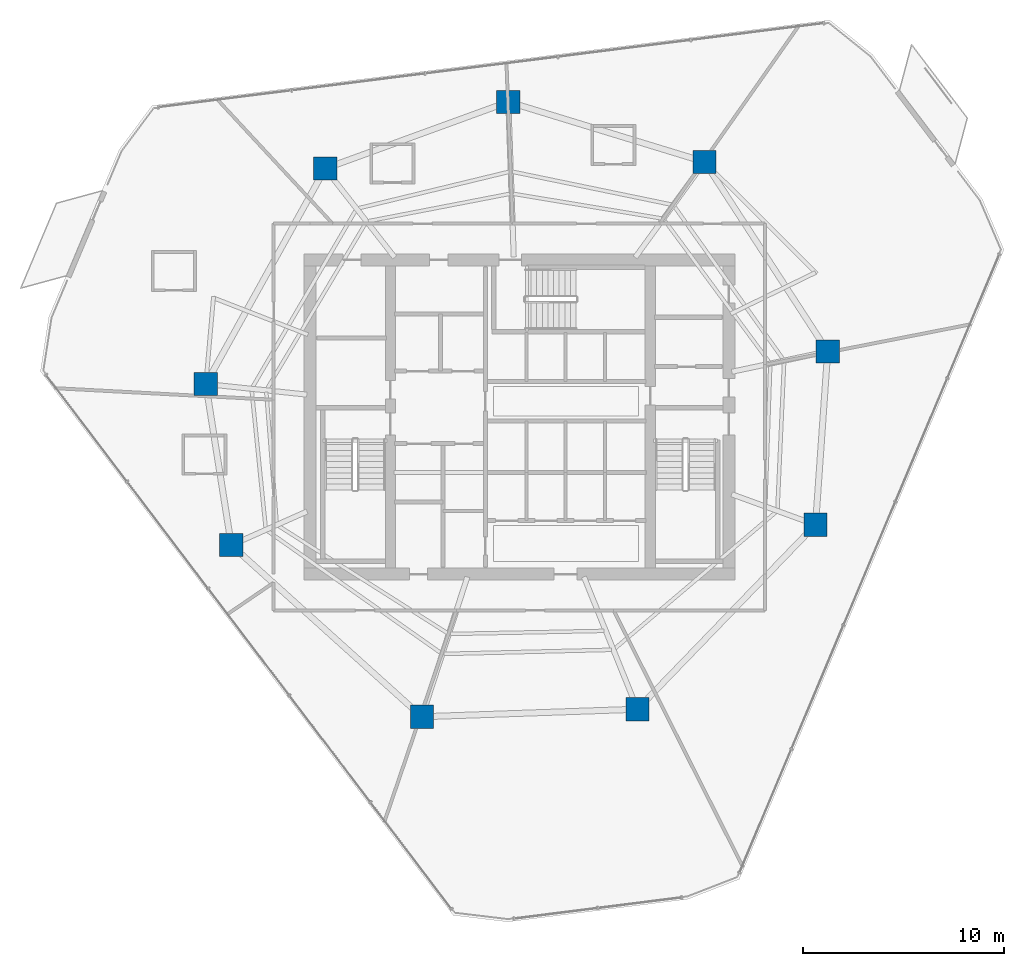
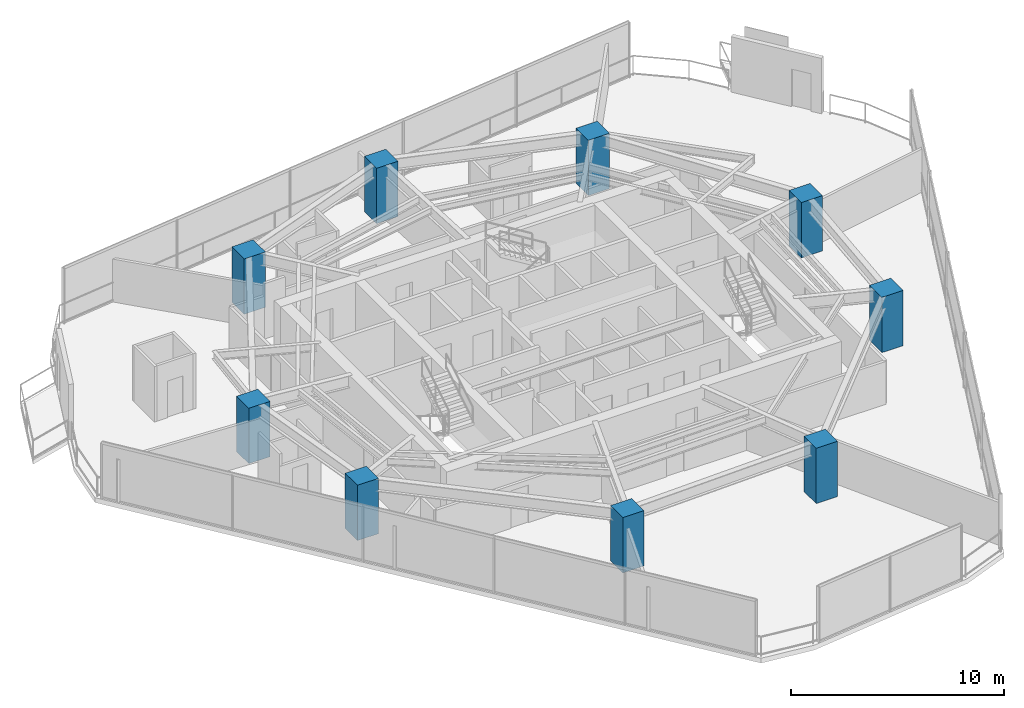
# One storey, part 1 of 30: 9 columns.
"""IFC4 building model written with IfcOpenShell, lengths in metres."""

from ifc_helpers import new_model, si_unit, direction, frame, origin, origin_2d, place, context, subcontext, project, spatial, rectangle, extrude, material, material_profile, profile_set, type_object, element, save


model = new_model("IFC4")

# Units and contexts
model_context = context("Model", 3, precision=1e-05, world=origin(), true_north=direction((0.0, 1.0)))
body_context = subcontext(model_context, "Body", "Model", "MODEL_VIEW")
ifc_project = project(units=[si_unit("LENGTHUNIT", "METRE"), si_unit("AREAUNIT", "SQUARE_METRE"), si_unit("VOLUMEUNIT", "CUBIC_METRE"), si_unit("PLANEANGLEUNIT", "RADIAN"), si_unit("MASSUNIT", "GRAM", prefix="KILO")], contexts=[model_context])

# Site, building, storey
site_placement = place(None, origin())
site = spatial("IfcSite", under=ifc_project, at=site_placement, CompositionType="ELEMENT")
building_placement = place(site_placement, origin())
building = spatial("IfcBuilding", under=site, at=building_placement, Name="Qarnah Convention Tower", CompositionType="ELEMENT")
storey_placement = place(building_placement, frame((0.0, 0.0, 93.60009765625)))
storey = spatial("IfcBuildingStorey", under=building, at=storey_placement, Name="L24", CompositionType="ELEMENT", Elevation=93.60009765625)

# Columns
ifc_material = material(Name="Concrete C60/75", Category="concrete")
ifc_material_profile = material_profile(ifc_material, rectangle(XDim=1.14990234375, YDim=1.14990234375, at=origin_2d()), Name="RC-COL-1150X1150")
ifc_profile_set = profile_set([ifc_material_profile], Name="Concrete C60/75")
column_type = type_object("IfcColumnType", Name="COL-Z2-1150", PredefinedType="COLUMN", material=ifc_profile_set)
for number, where, z_axis, x_axis, name in (
    (1, (52.508056640625, 29.654052734375, 0.0), (0.0, 0.0, 1.0), (1.0, 0.0, 0.0), "L24 plumb column PC-Z2-01"),
    (2, (46.39892578125, 39.06103515625, 0.0), (0.0, 0.0, 1.0), (1.0, 0.0, 0.0), "L24 plumb column PC-Z2-02"),
    (3, (36.654052734375, 42.0400390625, 0.0), (0.0, 0.0, 1.0), (1.0, 0.0, 0.0), "L24 plumb column PC-Z2-03"),
    (4, (27.56494140625, 38.73193359375, 0.0), (0.0, 0.0, 1.0), (1.0, 0.0, 0.0), "L24 plumb column PC-Z2-04"),
    (5, (21.635986328125, 28.035888671875, 0.0), (0.0, 0.0, 1.0), (1.0, 0.0, 0.0), "L24 plumb column PC-Z2-05"),
    (6, (22.903076171875, 20.034912109375, 0.0), (0.0, 0.0, 1.0), (1.0, 0.0, 0.0), "L24 plumb column PC-Z2-06"),
    (7, (32.364013671875, 11.51611328125, 0.0), (0.0, 0.0, 1.0), (1.0, 0.0, 0.0), "L24 plumb column PC-Z2-07"),
    (8, (43.06298828125, 11.889892578125, 0.0), (0.0, 0.0, 1.0), (1.0, 0.0, 0.0), "L24 plumb column PC-Z2-08"),
    (9, (51.906005859375, 21.047119140625, 0.0), (0.0, 0.0, 1.0), (1.0, 0.0, 0.0), "L24 plumb column PC-Z2-09"),
):
    element("IfcColumn", number, at=place(storey_placement, frame(where, z_axis=z_axis, x_axis=x_axis)), inside=storey, type_object=column_type, Name=name, PredefinedType="COLUMN", context=body_context, shape_type="SweptSolid", body=[
        extrude(rectangle(XDim=1.14990234375, YDim=1.14990234375, at=origin_2d()), origin(), (0.0, 0.0, 1.0), 3.169921875),
    ])

save(model, "model.ifc")
